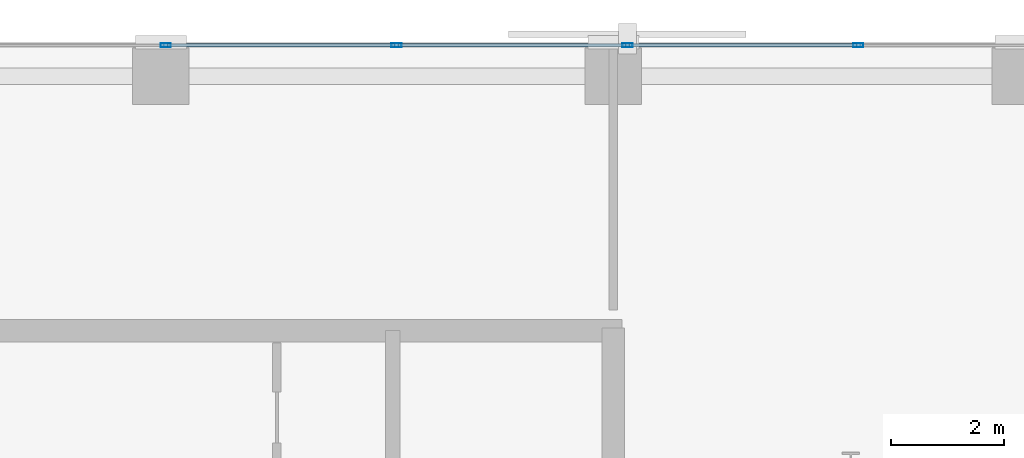
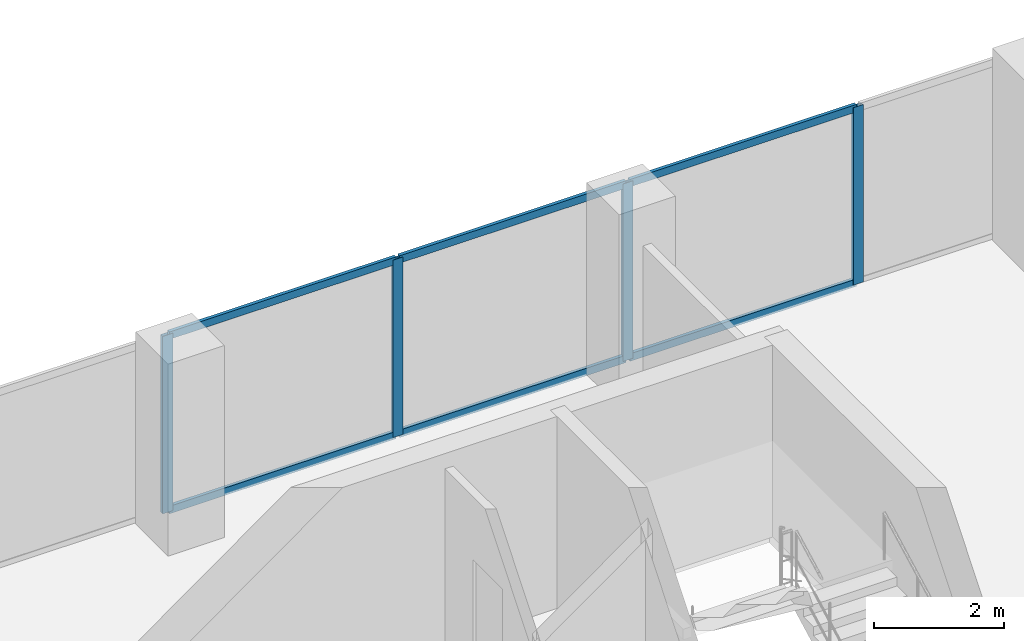
# One storey, part 24 of 31: 10 members, 1 element without a shape of its own.
"""IFC4 building model written with IfcOpenShell, lengths in metres."""

from ifc_helpers import new_model, si_unit, direction, frame, origin, origin_2d, place, context, subcontext, project, spatial, hollow_rectangle, extrude, material, layer, layer_set, material_profile, profile_set, type_object, element, aggregate, save


model = new_model("IFC4")

# Units and contexts
model_context = context("Model", 3, precision=1e-05, world=origin(), true_north=direction((0.0, 1.0)))
body_context = subcontext(model_context, "Body", "Model", "MODEL_VIEW")
ifc_project = project(units=[si_unit("LENGTHUNIT", "METRE"), si_unit("AREAUNIT", "SQUARE_METRE"), si_unit("VOLUMEUNIT", "CUBIC_METRE"), si_unit("PLANEANGLEUNIT", "RADIAN"), si_unit("MASSUNIT", "GRAM", prefix="KILO")], contexts=[model_context])

# Site, building, storey
site_placement = place(None, origin())
site = spatial("IfcSite", under=ifc_project, at=site_placement, CompositionType="ELEMENT")
building_placement = place(site_placement, origin())
building = spatial("IfcBuilding", under=site, at=building_placement, Name="Catumbela Crestline Tower", CompositionType="ELEMENT")
storey_placement = place(building_placement, frame((0.0, 0.0, 25.8)))
storey = spatial("IfcBuildingStorey", under=building, at=storey_placement, Name="L05", CompositionType="ELEMENT", Elevation=25.8)

# Curtain wall, members
ifc_material = material(Name="Aluminium alloy AW-6060-T66", Category="aluminium")
ifc_layer = layer(ifc_material, 0.18, Name="Aluminium alloy AW-6060-T66")
ifc_layer_set = layer_set([ifc_layer], Name="Aluminium alloy AW-6060-T66")
curtain_wall_type = type_object("IfcCurtainWallType", Name="CWU-Z1", PredefinedType="USERDEFINED", material=ifc_layer_set)
curtain_wall_placement = place(storey_placement, origin())
curtain_wall = element("IfcCurtainWall", 1, at=curtain_wall_placement, inside=storey, type_object=curtain_wall_type, Name="L05 Unitised Curtain Wall CW-L05-E7S1", ObjectType="UNITISED", PredefinedType="USERDEFINED")
ifc_material_profile_1 = material_profile(ifc_material, hollow_rectangle(XDim=0.065, YDim=0.18, WallThickness=0.004, at=origin_2d()), Name="ALU 180x65x4")
ifc_profile_set_1 = profile_set([ifc_material_profile_1], Name="Aluminium alloy AW-6060-T66")
member_type_1 = type_object("IfcMemberType", Name="MUL-180X65", PredefinedType="MULLION", material=ifc_profile_set_1)
member_1_placement = place(storey_placement, frame((44.3333, 47.95, 0.0), z_axis=(0.0, 0.0, 1.0), x_axis=(0.0, -1.0, 0.0)))
member_1 = element("IfcMember", 2, at=member_1_placement, type_object=member_type_1, Name="CWU-Z1 mullion 3", PredefinedType="MULLION", context=body_context, shape_type="SweptSolid", body=[
    extrude(hollow_rectangle(XDim=0.065, YDim=0.18, WallThickness=0.004, at=origin_2d()), origin(), (0.0, 0.0, 1.0), 3.33),
])
member_2_placement = place(storey_placement, frame((40.25, 47.95, 0.0), z_axis=(0.0, 0.0, 1.0), x_axis=(0.0, -1.0, 0.0)))
member_2 = element("IfcMember", 3, at=member_2_placement, type_object=member_type_1, Name="CWU-Z1 mullion 4", PredefinedType="MULLION", context=body_context, shape_type="SweptSolid", body=[
    extrude(hollow_rectangle(XDim=0.065, YDim=0.18, WallThickness=0.004, at=origin_2d()), origin(), (0.0, 0.0, 1.0), 3.33),
])
member_3_placement = place(storey_placement, frame((36.1667, 47.95, 0.0), z_axis=(0.0, 0.0, 1.0), x_axis=(0.0, -1.0, 0.0)))
member_3 = element("IfcMember", 4, at=member_3_placement, type_object=member_type_1, Name="CWU-Z1 mullion 5", PredefinedType="MULLION", context=body_context, shape_type="SweptSolid", body=[
    extrude(hollow_rectangle(XDim=0.065, YDim=0.18, WallThickness=0.004, at=origin_2d()), origin(), (0.0, 0.0, 1.0), 3.33),
])
member_4_placement = place(storey_placement, frame((32.0833, 47.95, 0.0), z_axis=(0.0, 0.0, 1.0), x_axis=(0.0, -1.0, 0.0)))
member_4 = element("IfcMember", 5, at=member_4_placement, type_object=member_type_1, Name="CWU-Z1 mullion 6", PredefinedType="MULLION", context=body_context, shape_type="SweptSolid", body=[
    extrude(hollow_rectangle(XDim=0.065, YDim=0.18, WallThickness=0.004, at=origin_2d()), origin(), (0.0, 0.0, 1.0), 3.33),
])
ifc_material_profile_2 = material_profile(ifc_material, hollow_rectangle(XDim=0.06, YDim=0.14, WallThickness=0.004, at=origin_2d()), Name="ALU 140x60x4")
ifc_profile_set_2 = profile_set([ifc_material_profile_2], Name="Aluminium alloy AW-6060-T66")
member_type_2 = type_object("IfcMemberType", Name="TRN-140X60", PredefinedType="USERDEFINED", material=ifc_profile_set_2)
member_5_placement = place(storey_placement, frame((44.3008, 47.95, 0.03), z_axis=(-1.0, 0.0, 0.0), x_axis=(0.0, -1.0, 0.0)))
member_5 = element("IfcMember", 6, at=member_5_placement, type_object=member_type_2, Name="CWU-Z1 transom 3.1", ObjectType="TRANSOM", PredefinedType="USERDEFINED", context=body_context, shape_type="SweptSolid", body=[
    extrude(hollow_rectangle(XDim=0.06, YDim=0.14, WallThickness=0.004, at=origin_2d()), origin(), (0.0, 0.0, 1.0), 4.0183),
])
member_6_placement = place(storey_placement, frame((44.3008, 47.95, 3.3), z_axis=(-1.0, 0.0, 0.0), x_axis=(0.0, -1.0, 0.0)))
member_6 = element("IfcMember", 7, at=member_6_placement, type_object=member_type_2, Name="CWU-Z1 transom 3.2", ObjectType="TRANSOM", PredefinedType="USERDEFINED", context=body_context, shape_type="SweptSolid", body=[
    extrude(hollow_rectangle(XDim=0.06, YDim=0.14, WallThickness=0.004, at=origin_2d()), origin(), (0.0, 0.0, 1.0), 4.0183),
])
member_7_placement = place(storey_placement, frame((40.2175, 47.95, 0.03), z_axis=(-1.0, 0.0, 0.0), x_axis=(0.0, -1.0, 0.0)))
member_7 = element("IfcMember", 8, at=member_7_placement, type_object=member_type_2, Name="CWU-Z1 transom 4.1", ObjectType="TRANSOM", PredefinedType="USERDEFINED", context=body_context, shape_type="SweptSolid", body=[
    extrude(hollow_rectangle(XDim=0.06, YDim=0.14, WallThickness=0.004, at=origin_2d()), origin(), (0.0, 0.0, 1.0), 4.0183),
])
member_8_placement = place(storey_placement, frame((40.2175, 47.95, 3.3), z_axis=(-1.0, 0.0, 0.0), x_axis=(0.0, -1.0, 0.0)))
member_8 = element("IfcMember", 9, at=member_8_placement, type_object=member_type_2, Name="CWU-Z1 transom 4.2", ObjectType="TRANSOM", PredefinedType="USERDEFINED", context=body_context, shape_type="SweptSolid", body=[
    extrude(hollow_rectangle(XDim=0.06, YDim=0.14, WallThickness=0.004, at=origin_2d()), origin(), (0.0, 0.0, 1.0), 4.0183),
])
member_9_placement = place(storey_placement, frame((36.1342, 47.95, 0.03), z_axis=(-1.0, 0.0, 0.0), x_axis=(0.0, -1.0, 0.0)))
member_9 = element("IfcMember", 10, at=member_9_placement, type_object=member_type_2, Name="CWU-Z1 transom 5.1", ObjectType="TRANSOM", PredefinedType="USERDEFINED", context=body_context, shape_type="SweptSolid", body=[
    extrude(hollow_rectangle(XDim=0.06, YDim=0.14, WallThickness=0.004, at=origin_2d()), origin(), (0.0, 0.0, 1.0), 4.0184),
])
member_10_placement = place(storey_placement, frame((36.1342, 47.95, 3.3), z_axis=(-1.0, 0.0, 0.0), x_axis=(0.0, -1.0, 0.0)))
member_10 = element("IfcMember", 11, at=member_10_placement, type_object=member_type_2, Name="CWU-Z1 transom 5.2", ObjectType="TRANSOM", PredefinedType="USERDEFINED", context=body_context, shape_type="SweptSolid", body=[
    extrude(hollow_rectangle(XDim=0.06, YDim=0.14, WallThickness=0.004, at=origin_2d()), origin(), (0.0, 0.0, 1.0), 4.0184),
])
aggregate(curtain_wall, [member_1, member_2, member_3, member_4, member_5, member_6, member_7, member_8, member_9, member_10])

save(model, "model.ifc")
